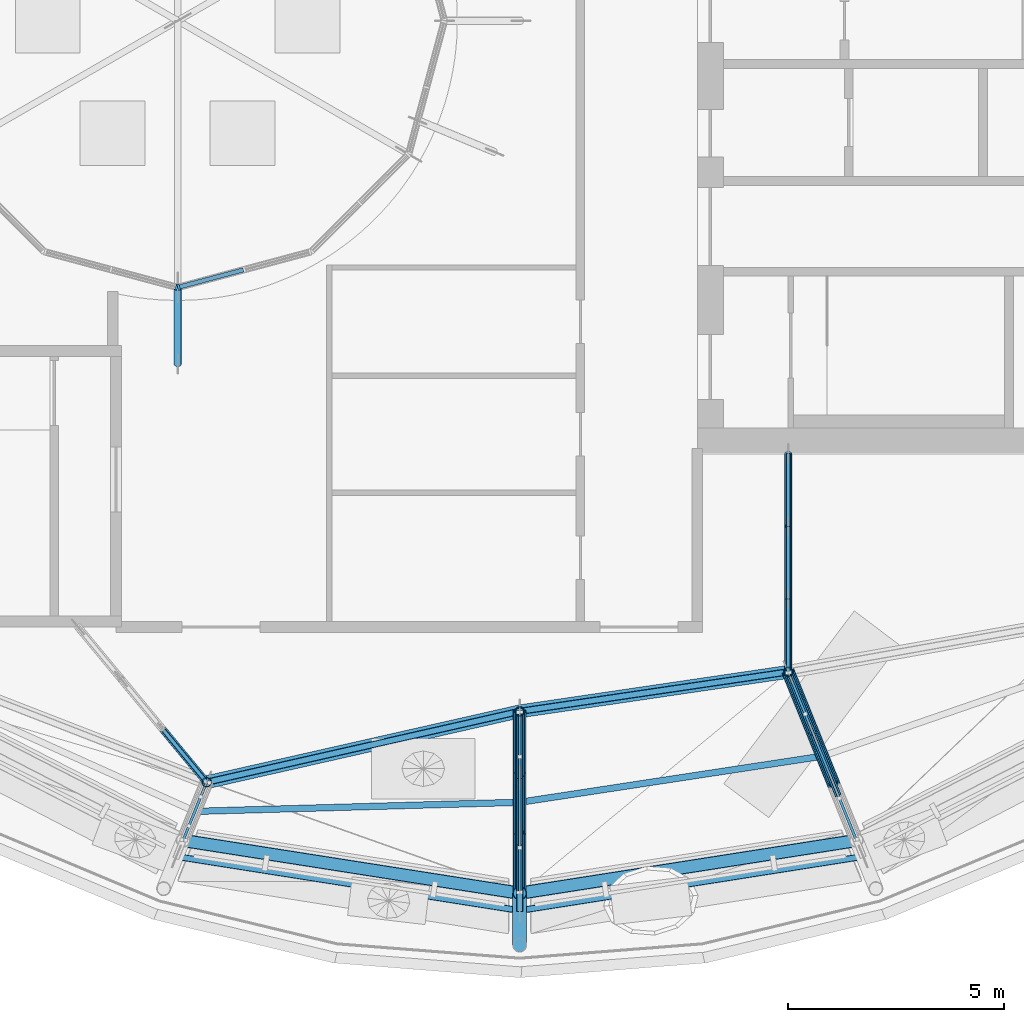
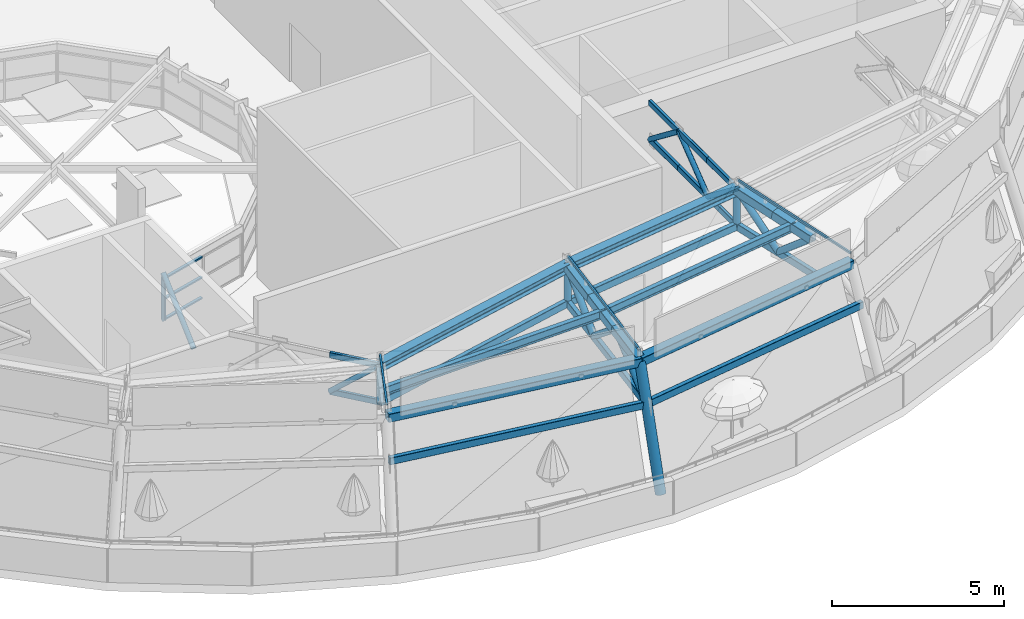
# One storey, part 5 of 40: 42 members, 8 beams, 3 elements without a shape of their own.
"""IFC4 building model written with IfcOpenShell, lengths in metres."""

from ifc_helpers import new_model, si_unit, direction, frame, origin, origin_2d, place, context, subcontext, project, spatial, rectangle, hollow_rectangle, hollow_circle, i_section, extrude, material, material_profile, profile_set, type_object, element, aggregate, save


model = new_model("IFC4")

# Units and contexts
model_context = context("Model", 3, precision=1e-05, world=origin(), true_north=direction((0.0, 1.0)))
body_context = subcontext(model_context, "Body", "Model", "MODEL_VIEW")
ifc_project = project(units=[si_unit("LENGTHUNIT", "METRE"), si_unit("AREAUNIT", "SQUARE_METRE"), si_unit("VOLUMEUNIT", "CUBIC_METRE"), si_unit("PLANEANGLEUNIT", "RADIAN"), si_unit("MASSUNIT", "GRAM", prefix="KILO")], contexts=[model_context])

# Site, building, storey
site_placement = place(None, origin())
site = spatial("IfcSite", under=ifc_project, at=site_placement, CompositionType="ELEMENT")
building_placement = place(site_placement, origin())
building = spatial("IfcBuilding", under=site, at=building_placement, Name="Taillehof Tower", CompositionType="ELEMENT")
storey_placement = place(building_placement, frame((0.0, 0.0, 275.199951171875)))
storey = spatial("IfcBuildingStorey", under=building, at=storey_placement, Name="L77", CompositionType="ELEMENT", Elevation=275.199951171875)

# Beams
ifc_material_1 = material(Name="Steel S460M", Category="steel")
ifc_material_profile_1 = material_profile(ifc_material_1, i_section(OverallWidth=0.300048828125, OverallDepth=0.2900390625, WebThickness=0.008544921875, FlangeThickness=0.013916015625, FilletRadius=0.027099609375, at=origin_2d()), Name="HEA 300")
ifc_profile_set_1 = profile_set([ifc_material_profile_1], Name="Steel S460M")
beam_type_1 = type_object("IfcBeamType", Name="Canopy apex ring beam HEA 300", PredefinedType="BEAM", material=ifc_profile_set_1)
beam_1_placement = place(storey_placement, frame((-7.332275390625, -17.587646484375, 5.10009765625), z_axis=(0.975306876547, 0.220854016402, 0.0), x_axis=(-0.220854016402, 0.975306876547, 0.0)))
element("IfcBeam", 1, at=beam_1_placement, inside=storey, type_object=beam_type_1, Name="Canopy ring beam CR31", PredefinedType="BEAM", context=body_context, shape_type="SweptSolid", body=[
    extrude(i_section(OverallWidth=0.300048828125, OverallDepth=0.2900390625, WebThickness=0.008544921875, FlangeThickness=0.013916015625, FilletRadius=0.027099609375, at=origin_2d()), origin(), (0.0, 0.0, 1.0), 7.415283203125),
])
beam_2_placement = place(storey_placement, frame((-0.10009765625, -15.949951171875, 5.10009765625), z_axis=(0.989362433012, 0.145471564731, 0.0), x_axis=(-0.145471564731, 0.989362433012, 0.0)))
element("IfcBeam", 2, at=beam_2_placement, inside=storey, type_object=beam_type_1, Name="Canopy ring beam CR32", PredefinedType="BEAM", context=body_context, shape_type="SweptSolid", body=[
    extrude(i_section(OverallWidth=0.300048828125, OverallDepth=0.2900390625, WebThickness=0.008544921875, FlangeThickness=0.013916015625, FilletRadius=0.027099609375, at=origin_2d()), origin(), (0.0, 0.0, 1.0), 6.268310546875),
])

# Curtain wall, members
ifc_material_2 = material(Name="Aluminium glazing bars with clear laminated safety glass", Category="aluminium")
curtain_wall_type_1 = type_object("IfcCurtainWallType", Name="Canopy glazing", PredefinedType="NOTDEFINED", material=ifc_material_2)
curtain_wall_1_placement = place(storey_placement, origin())
curtain_wall_1 = element("IfcCurtainWall", 3, at=curtain_wall_1_placement, inside=storey, type_object=curtain_wall_type_1, Name="Canopy glazing 5", PredefinedType="NOTDEFINED")
ifc_material_3 = material(Name="Aluminium glazing bar", Category="aluminium")
ifc_material_profile_2 = material_profile(ifc_material_3, rectangle(XDim=0.06005859375, YDim=0.070068359375, at=origin_2d()), Name="AL 60x70")
ifc_profile_set_2 = profile_set([ifc_material_profile_2], Name="Aluminium glazing bar")
member_type_1 = type_object("IfcMemberType", Name="Canopy glazing bar 60x70", PredefinedType="USERDEFINED", material=ifc_profile_set_2)
member_1_placement = place(storey_placement, frame((-7.8759765625, -18.931884765625, 4.68798828125), z_axis=(0.328473052035, 0.81159970891, 0.483126656875), x_axis=(-0.92695936161, 0.375161754345, 0.0)))
member_1 = element("IfcMember", 4, at=member_1_placement, type_object=member_type_1, Name="Canopy glazing bar 13", ObjectType="TRANSOM", PredefinedType="USERDEFINED", context=body_context, shape_type="SweptSolid", body=[
    extrude(rectangle(XDim=0.06005859375, YDim=0.070068359375, at=origin_2d()), origin(), (0.0, 0.0, 1.0), 1.656005859375),
])
member_2_placement = place(storey_placement, frame((-0.10009765625, -20.14990234375, 4.6474609375), z_axis=(0.0, 0.982336067315, 0.187125227727), x_axis=(-1.0, 0.0, 0.0)))
member_2 = element("IfcMember", 5, at=member_2_placement, type_object=member_type_1, Name="Canopy glazing bar 14", ObjectType="TRANSOM", PredefinedType="USERDEFINED", context=body_context, shape_type="SweptSolid", body=[
    extrude(rectangle(XDim=0.06005859375, YDim=0.070068359375, at=origin_2d()), origin(), (0.0, 0.0, 1.0), 4.275390625),
])
member_3_placement = place(storey_placement, frame((7.676025390625, -18.931884765625, 4.626220703125), z_axis=(-0.368343189849, 0.910665871168, 0.187112173793), x_axis=(-0.927038715503, -0.374965625037, 0.0)))
member_3 = element("IfcMember", 6, at=member_3_placement, type_object=member_type_1, Name="Canopy glazing bar 15", ObjectType="TRANSOM", PredefinedType="USERDEFINED", context=body_context, shape_type="SweptSolid", body=[
    extrude(rectangle(XDim=0.06005859375, YDim=0.070068359375, at=origin_2d()), origin(), (0.0, 0.0, 1.0), 4.27587890625),
])
aggregate(curtain_wall_1, [member_1, member_2, member_3])

# Members
ifc_material_4 = material(Name="Steel S460M", Category="steel")
ifc_material_profile_3 = material_profile(ifc_material_4, hollow_circle(Radius=0.109619140625, WallThickness=0.012451171875, at=origin_2d()), Name="CHS 219.1x12.5")
ifc_profile_set_3 = profile_set([ifc_material_profile_3], Name="Steel S460M")
member_type_2 = type_object("IfcMemberType", Name="Canopy inner ring post CHS 219.1x12.5", PredefinedType="POST", material=ifc_profile_set_3)
for number, where, z_axis, x_axis, name in (
    (7, (-7.332275390625, -17.587646484375, 3.800048828125), (0.0, 0.0, 1.0), (1.0, 0.0, 0.0), "Canopy ring post RP13"),
    (8, (-0.10009765625, -15.949951171875, 3.800048828125), (0.0, 0.0, 1.0), (1.0, 0.0, 0.0), "Canopy ring post RP14"),
    (9, (6.1015625, -15.0380859375, 3.800048828125), (0.0, 0.0, 1.0), (1.0, 0.0, 0.0), "Canopy ring post RP15"),
):
    element("IfcMember", number, at=place(storey_placement, frame(where, z_axis=z_axis, x_axis=x_axis)), inside=storey, type_object=member_type_2, Name=name, PredefinedType="POST", context=body_context, shape_type="SweptSolid", body=[
        extrude(hollow_circle(Radius=0.109619140625, WallThickness=0.012451171875, at=origin_2d()), origin(), (0.0, 0.0, 1.0), 1.300048828125),
    ])

# Beams
ifc_material_5 = material(Name="Steel S460M", Category="steel")
ifc_material_profile_4 = material_profile(ifc_material_5, hollow_rectangle(XDim=0.14990234375, YDim=0.25, WallThickness=0.010009765625, InnerFilletRadius=0.010009765625, OuterFilletRadius=0.014892578125, at=origin_2d()), Name="RHS 250x150x10")
ifc_profile_set_4 = profile_set([ifc_material_profile_4], Name="Steel S460M")
beam_type_2 = type_object("IfcBeamType", Name="Canopy lower ring beam RHS 250x150x10", PredefinedType="BEAM", material=ifc_profile_set_4)
beam_3_placement = place(storey_placement, frame((-8.025634765625, -19.302734375, 3.0), z_axis=(0.987841299775, -0.155465643981, 0.0), x_axis=(0.155465643981, 0.987841299775, 0.0)))
element("IfcBeam", 10, at=beam_3_placement, inside=storey, type_object=beam_type_2, Name="Canopy lower ring beam CB13", PredefinedType="BEAM", context=body_context, shape_type="SweptSolid", body=[
    extrude(hollow_rectangle(XDim=0.14990234375, YDim=0.25, WallThickness=0.010009765625, InnerFilletRadius=0.010009765625, OuterFilletRadius=0.014892578125, at=origin_2d()), origin(), (0.0, 0.0, 1.0), 8.023193359375),
])
beam_4_placement = place(storey_placement, frame((-0.10009765625, -20.550048828125, 3.0), z_axis=(0.987842035216, 0.155460970858, 0.0), x_axis=(-0.155460970858, 0.987842035216, 0.0)))
element("IfcBeam", 11, at=beam_4_placement, inside=storey, type_object=beam_type_2, Name="Canopy lower ring beam CB14", PredefinedType="BEAM", context=body_context, shape_type="SweptSolid", body=[
    extrude(hollow_rectangle(XDim=0.14990234375, YDim=0.25, WallThickness=0.010009765625, InnerFilletRadius=0.010009765625, OuterFilletRadius=0.014892578125, at=origin_2d()), origin(), (0.0, 0.0, 1.0), 8.0234375),
])
beam_5_placement = place(storey_placement, frame((-7.332275390625, -17.587646484375, 3.800048828125), z_axis=(0.975306876547, 0.220854016402, 0.0), x_axis=(-0.220854016402, 0.975306876547, 0.0)))
element("IfcBeam", 12, at=beam_5_placement, inside=storey, type_object=beam_type_2, Name="Canopy lower ring beam CB31", PredefinedType="BEAM", context=body_context, shape_type="SweptSolid", body=[
    extrude(hollow_rectangle(XDim=0.14990234375, YDim=0.25, WallThickness=0.010009765625, InnerFilletRadius=0.010009765625, OuterFilletRadius=0.014892578125, at=origin_2d()), origin(), (0.0, 0.0, 1.0), 7.415283203125),
])
beam_6_placement = place(storey_placement, frame((-0.10009765625, -15.949951171875, 3.800048828125), z_axis=(0.989362433012, 0.145471564731, 0.0), x_axis=(-0.145471564731, 0.989362433012, 0.0)))
element("IfcBeam", 13, at=beam_6_placement, inside=storey, type_object=beam_type_2, Name="Canopy lower ring beam CB32", PredefinedType="BEAM", context=body_context, shape_type="SweptSolid", body=[
    extrude(hollow_rectangle(XDim=0.14990234375, YDim=0.25, WallThickness=0.010009765625, InnerFilletRadius=0.010009765625, OuterFilletRadius=0.014892578125, at=origin_2d()), origin(), (0.0, 0.0, 1.0), 6.268310546875),
])

# Members
ifc_material_6 = material(Name="Steel S460M", Category="steel")
ifc_material_profile_5 = material_profile(ifc_material_6, i_section(OverallWidth=0.14990234375, OverallDepth=0.300048828125, WebThickness=0.007080078125, FlangeThickness=0.0107421875, FilletRadius=0.014892578125, at=origin_2d()), Name="IPE 300")
ifc_profile_set_5 = profile_set([ifc_material_profile_5], Name="Steel S460M")
member_type_3 = type_object("IfcMemberType", Name="Canopy purlin IPE 300", PredefinedType="PURLIN", material=ifc_profile_set_5)
member_4_placement = place(storey_placement, frame((-7.60400390625, -18.260009765625, 4.699951171875), z_axis=(0.999608783378, 0.02796927231, 0.0), x_axis=(-0.02796927231, 0.999608783378, 0.0)))
element("IfcMember", 14, at=member_4_placement, inside=storey, type_object=member_type_3, Name="Canopy purlin CP13", PredefinedType="PURLIN", context=body_context, shape_type="SweptSolid", body=[
    extrude(i_section(OverallWidth=0.14990234375, OverallDepth=0.300048828125, WebThickness=0.007080078125, FlangeThickness=0.0107421875, FilletRadius=0.014892578125, at=origin_2d()), origin(), (0.0, 0.0, 1.0), 7.5068359375),
])
member_5_placement = place(storey_placement, frame((-0.10009765625, -18.050048828125, 4.699951171875), z_axis=(0.988587885748, 0.150645252668, 0.0), x_axis=(-0.150645252668, 0.988587885748, 0.0)))
element("IfcMember", 15, at=member_5_placement, inside=storey, type_object=member_type_3, Name="Canopy purlin CP14", PredefinedType="PURLIN", context=body_context, shape_type="SweptSolid", body=[
    extrude(i_section(OverallWidth=0.14990234375, OverallDepth=0.300048828125, WebThickness=0.007080078125, FlangeThickness=0.0107421875, FilletRadius=0.014892578125, at=origin_2d()), origin(), (0.0, 0.0, 1.0), 7.069091796875),
])
ifc_material_7 = material(Name="Steel S460M", Category="steel")
ifc_material_profile_6 = material_profile(ifc_material_7, hollow_rectangle(XDim=0.300048828125, YDim=0.300048828125, WallThickness=0.012451171875, InnerFilletRadius=0.012451171875, OuterFilletRadius=0.018798828125, at=origin_2d()), Name="RHS 300x300x12.5")
ifc_profile_set_6 = profile_set([ifc_material_profile_6], Name="Steel S460M")
member_type_4 = type_object("IfcMemberType", Name="Canopy rafter RHS 300x300x12.5", PredefinedType="RAFTER", material=ifc_profile_set_6)
for number, where, z_axis, x_axis, name in (
    (16, (-0.10009765625, -20.14990234375, 4.300048828125), (0.0, 0.982344563966, 0.187080618042), (-1.0, 0.0, 0.0), "Canopy rafter 14 top chord 1"),
    (17, (-0.10009765625, -18.75, 4.566650390625), (0.0, 0.98231306642, 0.18724593331), (-1.0, 0.0, 0.0), "Canopy rafter 14 top chord 2"),
):
    element("IfcMember", number, at=place(storey_placement, frame(where, z_axis=z_axis, x_axis=x_axis)), inside=storey, type_object=member_type_4, Name=name, PredefinedType="RAFTER", context=body_context, shape_type="SweptSolid", body=[
        extrude(hollow_rectangle(XDim=0.300048828125, YDim=0.300048828125, WallThickness=0.012451171875, InnerFilletRadius=0.012451171875, OuterFilletRadius=0.018798828125, at=origin_2d()), origin(), (0.0, 0.0, 1.0), 1.425048828125),
    ])
member_6_placement = place(storey_placement, frame((-0.10009765625, -17.35009765625, 4.83349609375), z_axis=(0.0, 0.982350558482, 0.187049138598), x_axis=(-1.0, 0.0, 0.0)))
element("IfcMember", 18, at=member_6_placement, inside=storey, type_object=member_type_4, Name="Canopy rafter 14 top chord 3", PredefinedType="RAFTER", context=body_context, shape_type="SweptSolid", body=[
    extrude(hollow_rectangle(XDim=0.300048828125, YDim=0.300048828125, WallThickness=0.012451171875, InnerFilletRadius=0.012451171875, OuterFilletRadius=0.018798828125, at=origin_2d()), origin(), (0.0, 0.0, 1.0), 1.42529296875),
])
for number, where, z_axis, x_axis, name in (
    (19, (7.15087890625, -17.6337890625, 4.566650390625), (-0.368157034019, 0.910713258653, 0.187247853971), (-0.927111355039, -0.374785986076, 0.0), "Canopy rafter 15 top chord 2"),
    (20, (6.626220703125, -16.3359375, 4.83349609375), (-0.368168839096, 0.910742460973, 0.18708253713), (-0.927111355039, -0.374785986076, 0.0), "Canopy rafter 15 top chord 3"),
):
    element("IfcMember", number, at=place(storey_placement, frame(where, z_axis=z_axis, x_axis=x_axis)), inside=storey, type_object=member_type_4, Name=name, PredefinedType="RAFTER", context=body_context, shape_type="SweptSolid", body=[
        extrude(hollow_rectangle(XDim=0.300048828125, YDim=0.300048828125, WallThickness=0.012451171875, InnerFilletRadius=0.012451171875, OuterFilletRadius=0.018798828125, at=origin_2d()), origin(), (0.0, 0.0, 1.0), 1.425048828125),
    ])
ifc_material_8 = material(Name="Steel S460M", Category="steel")
ifc_material_profile_7 = material_profile(ifc_material_8, hollow_rectangle(XDim=0.14990234375, YDim=0.25, WallThickness=0.010009765625, InnerFilletRadius=0.010009765625, OuterFilletRadius=0.014892578125, at=origin_2d()), Name="RHS 250x150x10")
ifc_profile_set_7 = profile_set([ifc_material_profile_7], Name="Steel S460M")
member_type_5 = type_object("IfcMemberType", Name="Canopy rafter bottom chord RHS 250x150x10", PredefinedType="CHORD", material=ifc_profile_set_7)
member_7_placement = place(storey_placement, frame((-0.10009765625, -20.550048828125, 3.0), z_axis=(0.0, 0.985220963369, 0.171288217163), x_axis=(-1.0, 0.0, 0.0)))
element("IfcMember", 21, at=member_7_placement, inside=storey, type_object=member_type_5, Name="Canopy rafter 14 bottom chord 1", PredefinedType="CHORD", context=body_context, shape_type="SweptSolid", body=[
    extrude(hollow_rectangle(XDim=0.14990234375, YDim=0.25, WallThickness=0.010009765625, InnerFilletRadius=0.010009765625, OuterFilletRadius=0.014892578125, at=origin_2d()), origin(), (0.0, 0.0, 1.0), 1.556396484375),
])
member_8_placement = place(storey_placement, frame((-0.10009765625, -19.0166015625, 3.2666015625), z_axis=(0.0, 0.985189870312, 0.171466963097), x_axis=(-1.0, 0.0, 0.0)))
element("IfcMember", 22, at=member_8_placement, inside=storey, type_object=member_type_5, Name="Canopy rafter 14 bottom chord 2", PredefinedType="CHORD", context=body_context, shape_type="SweptSolid", body=[
    extrude(hollow_rectangle(XDim=0.14990234375, YDim=0.25, WallThickness=0.010009765625, InnerFilletRadius=0.010009765625, OuterFilletRadius=0.014892578125, at=origin_2d()), origin(), (0.0, 0.0, 1.0), 1.55615234375),
])
member_9_placement = place(storey_placement, frame((-0.10009765625, -17.4833984375, 3.533447265625), z_axis=(0.0, 0.985220963369, 0.171288217163), x_axis=(-1.0, 0.0, 0.0)))
element("IfcMember", 23, at=member_9_placement, inside=storey, type_object=member_type_5, Name="Canopy rafter 14 bottom chord 3", PredefinedType="CHORD", context=body_context, shape_type="SweptSolid", body=[
    extrude(hollow_rectangle(XDim=0.14990234375, YDim=0.25, WallThickness=0.010009765625, InnerFilletRadius=0.010009765625, OuterFilletRadius=0.014892578125, at=origin_2d()), origin(), (0.0, 0.0, 1.0), 1.556396484375),
])
member_10_placement = place(storey_placement, frame((7.2509765625, -17.881103515625, 3.2666015625), z_axis=(-0.369295686042, 0.913355770662, 0.171469917096), x_axis=(-0.927086518883, -0.374847417632, 0.0)))
element("IfcMember", 24, at=member_10_placement, inside=storey, type_object=member_type_5, Name="Canopy rafter 15 bottom chord 2", PredefinedType="CHORD", context=body_context, shape_type="SweptSolid", body=[
    extrude(hollow_rectangle(XDim=0.14990234375, YDim=0.25, WallThickness=0.010009765625, InnerFilletRadius=0.010009765625, OuterFilletRadius=0.014892578125, at=origin_2d()), origin(), (0.0, 0.0, 1.0), 1.55615234375),
])
member_11_placement = place(storey_placement, frame((6.67626953125, -16.459716796875, 3.533447265625), z_axis=(-0.369252703203, 0.913406325723, 0.171293097663), x_axis=(-0.927108888624, -0.374792087209, 0.0)))
element("IfcMember", 25, at=member_11_placement, inside=storey, type_object=member_type_5, Name="Canopy rafter 15 bottom chord 3", PredefinedType="CHORD", context=body_context, shape_type="SweptSolid", body=[
    extrude(hollow_rectangle(XDim=0.14990234375, YDim=0.25, WallThickness=0.010009765625, InnerFilletRadius=0.010009765625, OuterFilletRadius=0.014892578125, at=origin_2d()), origin(), (0.0, 0.0, 1.0), 1.556396484375),
])
ifc_material_9 = material(Name="Steel S460M", Category="steel")
ifc_material_profile_8 = material_profile(ifc_material_9, hollow_circle(Radius=0.109619140625, WallThickness=0.012451171875, at=origin_2d()), Name="CHS 219.1x12.5")
ifc_profile_set_8 = profile_set([ifc_material_profile_8], Name="Steel S460M")
member_type_6 = type_object("IfcMemberType", Name="Canopy rafter diagonal CHS 219.1x12.5", PredefinedType="BRACE", material=ifc_profile_set_8)
member_12_placement = place(storey_placement, frame((-0.10009765625, -20.550048828125, 3.0), z_axis=(0.0, 0.754316916411, 0.656510464209), x_axis=(-1.0, 0.0, 0.0)))
element("IfcMember", 26, at=member_12_placement, inside=storey, type_object=member_type_6, Name="Canopy rafter 14 diagonal 1", PredefinedType="BRACE", context=body_context, shape_type="SweptSolid", body=[
    extrude(hollow_circle(Radius=0.109619140625, WallThickness=0.012451171875, at=origin_2d()), origin(), (0.0, 0.0, 1.0), 2.38623046875),
])
member_13_placement = place(storey_placement, frame((-0.10009765625, -18.75, 4.566650390625), z_axis=(0.0, 0.774888123176, -0.63209840734), x_axis=(-1.0, 0.0, 0.0)))
element("IfcMember", 27, at=member_13_placement, inside=storey, type_object=member_type_6, Name="Canopy rafter 14 diagonal 2", PredefinedType="BRACE", context=body_context, shape_type="SweptSolid", body=[
    extrude(hollow_circle(Radius=0.109619140625, WallThickness=0.012451171875, at=origin_2d()), origin(), (0.0, 0.0, 1.0), 1.634521484375),
])
member_14_placement = place(storey_placement, frame((-0.10009765625, -17.4833984375, 3.533447265625), z_axis=(0.0, 0.699493302594, 0.714639153438), x_axis=(-1.0, 0.0, 0.0)))
element("IfcMember", 28, at=member_14_placement, inside=storey, type_object=member_type_6, Name="Canopy rafter 14 diagonal 3", PredefinedType="BRACE", context=body_context, shape_type="SweptSolid", body=[
    extrude(hollow_circle(Radius=0.109619140625, WallThickness=0.012451171875, at=origin_2d()), origin(), (0.0, 0.0, 1.0), 2.192138671875),
])
member_15_placement = place(storey_placement, frame((7.15087890625, -17.6337890625, 4.566650390625), z_axis=(-0.290390512631, 0.718358011955, -0.632167000747), x_axis=(-0.927114341472, -0.374778598424, 0.0)))
element("IfcMember", 29, at=member_15_placement, inside=storey, type_object=member_type_6, Name="Canopy rafter 15 diagonal 2", PredefinedType="BRACE", context=body_context, shape_type="SweptSolid", body=[
    extrude(hollow_circle(Radius=0.109619140625, WallThickness=0.012451171875, at=origin_2d()), origin(), (0.0, 0.0, 1.0), 1.63427734375),
])
member_16_placement = place(storey_placement, frame((6.67626953125, -16.459716796875, 3.533447265625), z_axis=(-0.262160624671, 0.64849673639, 0.714649417382), x_axis=(-0.927108888624, -0.374792087209, 0.0)))
element("IfcMember", 30, at=member_16_placement, inside=storey, type_object=member_type_6, Name="Canopy rafter 15 diagonal 3", PredefinedType="BRACE", context=body_context, shape_type="SweptSolid", body=[
    extrude(hollow_circle(Radius=0.109619140625, WallThickness=0.012451171875, at=origin_2d()), origin(), (0.0, 0.0, 1.0), 2.192138671875),
])
ifc_material_10 = material(Name="Steel S460M", Category="steel")
ifc_material_profile_9 = material_profile(ifc_material_10, hollow_circle(Radius=0.161865234375, WallThickness=0.01611328125, at=origin_2d()), Name="CHS 323.9x16")
ifc_profile_set_9 = profile_set([ifc_material_profile_9], Name="Steel S460M")
member_type_7 = type_object("IfcMemberType", Name="Canopy raking column CHS 323.9x16", PredefinedType="POST", material=ifc_profile_set_9)
member_17_placement = place(storey_placement, frame((-0.10009765625, -21.35009765625, 0.300048828125), z_axis=(0.0, 0.287390791914, 0.957813412269), x_axis=(-1.0, 0.0, 0.0)))
element("IfcMember", 31, at=member_17_placement, inside=storey, type_object=member_type_7, Name="Canopy raking column CC14", PredefinedType="POST", context=body_context, shape_type="SweptSolid", body=[
    extrude(hollow_circle(Radius=0.161865234375, WallThickness=0.01611328125, at=origin_2d()), origin(), (0.0, 0.0, 1.0), 4.17626953125),
])

# Beams
ifc_material_11 = material(Name="Steel S460M", Category="steel")
ifc_material_profile_10 = material_profile(ifc_material_11, hollow_rectangle(XDim=0.300048828125, YDim=0.300048828125, WallThickness=0.012451171875, InnerFilletRadius=0.012451171875, OuterFilletRadius=0.018798828125, at=origin_2d()), Name="RHS 300x300x12.5")
ifc_profile_set_10 = profile_set([ifc_material_profile_10], Name="Steel S460M")
beam_type_3 = type_object("IfcBeamType", Name="Canopy ring beam RHS 300x300x12.5", PredefinedType="BEAM", material=ifc_profile_set_10)
beam_7_placement = place(storey_placement, frame((-7.875732421875, -18.931884765625, 4.300048828125), z_axis=(0.987952374768, -0.154758215257, 0.0), x_axis=(0.154758215257, 0.987952374768, 0.0)))
element("IfcBeam", 32, at=beam_7_placement, inside=storey, type_object=beam_type_3, Name="Canopy ring beam CR13", PredefinedType="BEAM", context=body_context, shape_type="SweptSolid", body=[
    extrude(hollow_rectangle(XDim=0.300048828125, YDim=0.300048828125, WallThickness=0.012451171875, InnerFilletRadius=0.012451171875, OuterFilletRadius=0.018798828125, at=origin_2d()), origin(), (0.0, 0.0, 1.0), 7.870361328125),
])
beam_8_placement = place(storey_placement, frame((-0.10009765625, -20.14990234375, 4.300048828125), z_axis=(0.987953117664, 0.154753472654, 0.0), x_axis=(-0.154753472654, 0.987953117664, 0.0)))
element("IfcBeam", 33, at=beam_8_placement, inside=storey, type_object=beam_type_3, Name="Canopy ring beam CR14", PredefinedType="BEAM", context=body_context, shape_type="SweptSolid", body=[
    extrude(hollow_rectangle(XDim=0.300048828125, YDim=0.300048828125, WallThickness=0.012451171875, InnerFilletRadius=0.012451171875, OuterFilletRadius=0.018798828125, at=origin_2d()), origin(), (0.0, 0.0, 1.0), 7.87060546875),
])

# Members
ifc_material_12 = material(Name="Steel S460M", Category="steel")
ifc_material_profile_11 = material_profile(ifc_material_12, hollow_rectangle(XDim=0.10009765625, YDim=0.199951171875, WallThickness=0.008056640625, InnerFilletRadius=0.008056640625, OuterFilletRadius=0.011962890625, at=origin_2d()), Name="RHS 200x100x8")
ifc_profile_set_11 = profile_set([ifc_material_profile_11], Name="Steel S460M")
member_type_8 = type_object("IfcMemberType", Name="Canopy spur chord RHS 200x100x8", PredefinedType="CHORD", material=ifc_profile_set_11)
for number, where, z_axis, x_axis, name in (
    (34, (-7.332275390625, -17.587646484375, 5.10009765625), (-0.637348788788, 0.77057544824, 0.0), (-0.77057544824, -0.637348788788, 0.0), "Canopy rafter S13 top chord 1"),
    (35, (-7.332275390625, -17.587646484375, 3.800048828125), (-0.637348788788, 0.77057544824, 0.0), (-0.77057544824, -0.637348788788, 0.0), "Canopy rafter S13 bottom chord 1"),
):
    element("IfcMember", number, at=place(storey_placement, frame(where, z_axis=z_axis, x_axis=x_axis)), inside=storey, type_object=member_type_8, Name=name, PredefinedType="CHORD", context=body_context, shape_type="SweptSolid", body=[
        extrude(hollow_rectangle(XDim=0.10009765625, YDim=0.199951171875, WallThickness=0.008056640625, InnerFilletRadius=0.008056640625, OuterFilletRadius=0.011962890625, at=origin_2d()), origin(), (0.0, 0.0, 1.0), 1.55224609375),
    ])
for number, where, z_axis, x_axis, name in (
    (36, (6.1015625, -15.0380859375, 5.10009765625), (0.0, 1.0, 0.0), (-1.0, 0.0, 0.0), "Canopy rafter S15 top chord 1"),
    (37, (6.1015625, -15.0380859375, 3.800048828125), (0.0, 1.0, 0.0), (-1.0, 0.0, 0.0), "Canopy rafter S15 bottom chord 1"),
):
    element("IfcMember", number, at=place(storey_placement, frame(where, z_axis=z_axis, x_axis=x_axis)), inside=storey, type_object=member_type_8, Name=name, PredefinedType="CHORD", context=body_context, shape_type="SweptSolid", body=[
        extrude(hollow_rectangle(XDim=0.10009765625, YDim=0.199951171875, WallThickness=0.008056640625, InnerFilletRadius=0.008056640625, OuterFilletRadius=0.011962890625, at=origin_2d()), origin(), (0.0, 0.0, 1.0), 1.679443359375),
    ])
for number, where, z_axis, x_axis, name in (
    (38, (6.1015625, -13.358642578125, 5.10009765625), (0.0, 1.0, 0.0), (-1.0, 0.0, 0.0), "Canopy rafter S15 top chord 2"),
    (39, (6.1015625, -13.358642578125, 3.800048828125), (0.0, 1.0, 0.0), (-1.0, 0.0, 0.0), "Canopy rafter S15 bottom chord 2"),
):
    element("IfcMember", number, at=place(storey_placement, frame(where, z_axis=z_axis, x_axis=x_axis)), inside=storey, type_object=member_type_8, Name=name, PredefinedType="CHORD", context=body_context, shape_type="SweptSolid", body=[
        extrude(hollow_rectangle(XDim=0.10009765625, YDim=0.199951171875, WallThickness=0.008056640625, InnerFilletRadius=0.008056640625, OuterFilletRadius=0.011962890625, at=origin_2d()), origin(), (0.0, 0.0, 1.0), 1.67919921875),
    ])
for number, where, z_axis, x_axis, name in (
    (40, (6.1015625, -11.679443359375, 5.10009765625), (0.0, 1.0, 0.0), (-1.0, 0.0, 0.0), "Canopy rafter S15 top chord 3"),
    (41, (6.1015625, -11.679443359375, 3.800048828125), (0.0, 1.0, 0.0), (-1.0, 0.0, 0.0), "Canopy rafter S15 bottom chord 3"),
):
    element("IfcMember", number, at=place(storey_placement, frame(where, z_axis=z_axis, x_axis=x_axis)), inside=storey, type_object=member_type_8, Name=name, PredefinedType="CHORD", context=body_context, shape_type="SweptSolid", body=[
        extrude(hollow_rectangle(XDim=0.10009765625, YDim=0.199951171875, WallThickness=0.008056640625, InnerFilletRadius=0.008056640625, OuterFilletRadius=0.011962890625, at=origin_2d()), origin(), (0.0, 0.0, 1.0), 1.679443359375),
    ])
ifc_material_13 = material(Name="Steel S460M", Category="steel")
ifc_material_profile_12 = material_profile(ifc_material_13, hollow_circle(Radius=0.084228515625, WallThickness=0.008056640625, at=origin_2d()), Name="CHS 168.3x8")
ifc_profile_set_12 = profile_set([ifc_material_profile_12], Name="Steel S460M")
member_type_9 = type_object("IfcMemberType", Name="Canopy spur diagonal CHS 168.3x8", PredefinedType="BRACE", material=ifc_profile_set_12)
member_18_placement = place(storey_placement, frame((-7.332275390625, -17.587646484375, 5.10009765625), z_axis=(-0.488602428392, 0.590736252886, -0.642104622702), x_axis=(-0.77057544824, -0.637348788788, 0.0)))
element("IfcMember", 42, at=member_18_placement, inside=storey, type_object=member_type_9, Name="Canopy rafter S13 diagonal 1", PredefinedType="BRACE", context=body_context, shape_type="SweptSolid", body=[
    extrude(hollow_circle(Radius=0.084228515625, WallThickness=0.008056640625, at=origin_2d()), origin(), (0.0, 0.0, 1.0), 2.024658203125),
])
member_19_placement = place(storey_placement, frame((6.1015625, -15.0380859375, 5.10009765625), z_axis=(0.0, 0.790761400514, -0.612124503232), x_axis=(-1.0, 0.0, 0.0)))
element("IfcMember", 43, at=member_19_placement, inside=storey, type_object=member_type_9, Name="Canopy rafter S15 diagonal 1", PredefinedType="BRACE", context=body_context, shape_type="SweptSolid", body=[
    extrude(hollow_circle(Radius=0.084228515625, WallThickness=0.008056640625, at=origin_2d()), origin(), (0.0, 0.0, 1.0), 2.123779296875),
])
member_20_placement = place(storey_placement, frame((6.1015625, -13.358642578125, 3.800048828125), z_axis=(0.0, 0.79071832218, 0.612180149114), x_axis=(-1.0, 0.0, 0.0)))
element("IfcMember", 44, at=member_20_placement, inside=storey, type_object=member_type_9, Name="Canopy rafter S15 diagonal 2", PredefinedType="BRACE", context=body_context, shape_type="SweptSolid", body=[
    extrude(hollow_circle(Radius=0.084228515625, WallThickness=0.008056640625, at=origin_2d()), origin(), (0.0, 0.0, 1.0), 2.12353515625),
])
member_21_placement = place(storey_placement, frame((6.1015625, -11.679443359375, 5.10009765625), z_axis=(0.0, 0.790761400514, -0.612124503232), x_axis=(-1.0, 0.0, 0.0)))
element("IfcMember", 45, at=member_21_placement, inside=storey, type_object=member_type_9, Name="Canopy rafter S15 diagonal 3", PredefinedType="BRACE", context=body_context, shape_type="SweptSolid", body=[
    extrude(hollow_circle(Radius=0.084228515625, WallThickness=0.008056640625, at=origin_2d()), origin(), (0.0, 0.0, 1.0), 2.123779296875),
])
ifc_material_14 = material(Name="Steel S460M", Category="steel")
ifc_material_profile_13 = material_profile(ifc_material_14, hollow_circle(Radius=0.084228515625, WallThickness=0.008056640625, at=origin_2d()), Name="CHS 168.3x8")
ifc_profile_set_13 = profile_set([ifc_material_profile_13], Name="Steel S460M")
member_type_10 = type_object("IfcMemberType", Name="Lantern strut CHS 168.3x8", PredefinedType="STRUT", material=ifc_profile_set_13)
member_22_placement = place(storey_placement, frame((-8.0, -7.931640625, 0.062255859375), z_axis=(0.0, 0.739497265291, 0.673159561046), x_axis=(-1.0, 0.0, 0.0)))
element("IfcMember", 46, at=member_22_placement, inside=storey, type_object=member_type_10, Name="Lantern strut LS07", PredefinedType="STRUT", context=body_context, shape_type="SweptSolid", body=[
    extrude(hollow_circle(Radius=0.084228515625, WallThickness=0.008056640625, at=origin_2d()), origin(), (0.0, 0.0, 1.0), 2.395751953125),
])

# Curtain wall, member
ifc_material_15 = material(Name="Aluminium curtain wall with Clear low-emissivity double glazing", Category="aluminium")
curtain_wall_type_2 = type_object("IfcCurtainWallType", Name="Roof lantern curtain wall", PredefinedType="USERDEFINED", material=ifc_material_15)
curtain_wall_2_placement = place(storey_placement, origin())
curtain_wall_2 = element("IfcCurtainWall", 47, at=curtain_wall_2_placement, inside=storey, type_object=curtain_wall_type_2, Name="Roof lantern bay 9", ObjectType="WINDOW WALL", PredefinedType="USERDEFINED")
ifc_material_16 = material(Name="Aluminium mullion", Category="aluminium")
ifc_material_profile_14 = material_profile(ifc_material_16, rectangle(XDim=0.139892578125, YDim=0.050048828125, at=origin_2d()), Name="AL 50x140")
ifc_profile_set_14 = profile_set([ifc_material_profile_14], Name="Aluminium mullion")
member_type_11 = type_object("IfcMemberType", Name="Roof lantern mullion 50x140", PredefinedType="MULLION", material=ifc_profile_set_14)
member_23_placement = place(storey_placement, frame((-8.024169921875, -6.153564453125, 0.0), z_axis=(0.0, 0.0, 1.0), x_axis=(0.258819045103, 0.965925826289, 0.0)))
member_23 = element("IfcMember", 48, at=member_23_placement, type_object=member_type_11, Name="CT709 mullion 3", PredefinedType="MULLION", context=body_context, shape_type="SweptSolid", body=[
    extrude(rectangle(XDim=0.139892578125, YDim=0.050048828125, at=origin_2d()), origin(), (0.0, 0.0, 1.0), 1.5),
])
aggregate(curtain_wall_2, [member_23])

# Curtain wall, members
curtain_wall_3_placement = place(storey_placement, origin())
curtain_wall_3 = element("IfcCurtainWall", 49, at=curtain_wall_3_placement, inside=storey, type_object=curtain_wall_type_2, Name="Roof lantern bay 10", ObjectType="WINDOW WALL", PredefinedType="USERDEFINED")
member_24_placement = place(storey_placement, frame((-7.975830078125, -6.153564453125, 0.0), z_axis=(0.0, 0.0, 1.0), x_axis=(-0.258819045103, 0.965925826289, 0.0)))
member_24 = element("IfcMember", 50, at=member_24_placement, type_object=member_type_11, Name="CT710 mullion 1", PredefinedType="MULLION", context=body_context, shape_type="SweptSolid", body=[
    extrude(rectangle(XDim=0.139892578125, YDim=0.050048828125, at=origin_2d()), origin(), (0.0, 0.0, 1.0), 1.5),
])
ifc_material_17 = material(Name="Aluminium transom", Category="aluminium")
ifc_material_profile_15 = material_profile(ifc_material_17, rectangle(XDim=0.10009765625, YDim=0.050048828125, at=origin_2d()), Name="AL 100x50")
ifc_profile_set_15 = profile_set([ifc_material_profile_15], Name="Aluminium transom")
member_type_12 = type_object("IfcMemberType", Name="Roof lantern transom 100x50", PredefinedType="USERDEFINED", material=ifc_profile_set_15)
member_25_placement = place(storey_placement, frame((-7.95166015625, -6.14697265625, 0.025146484375), z_axis=(0.965951637337, 0.25872269774, 0.0), x_axis=(-0.25872269774, 0.965951637337, 0.0)))
member_25 = element("IfcMember", 51, at=member_25_placement, type_object=member_type_12, Name="CT710 transom 1.1", ObjectType="TRANSOM", PredefinedType="USERDEFINED", context=body_context, shape_type="SweptSolid", body=[
    extrude(rectangle(XDim=0.10009765625, YDim=0.050048828125, at=origin_2d()), origin(), (0.0, 0.0, 1.0), 1.519287109375),
])
member_26_placement = place(storey_placement, frame((-7.95166015625, -6.14697265625, 0.75), z_axis=(0.965951637337, 0.25872269774, 0.0), x_axis=(-0.25872269774, 0.965951637337, 0.0)))
member_26 = element("IfcMember", 52, at=member_26_placement, type_object=member_type_12, Name="CT710 transom 1.2", ObjectType="TRANSOM", PredefinedType="USERDEFINED", context=body_context, shape_type="SweptSolid", body=[
    extrude(rectangle(XDim=0.10009765625, YDim=0.050048828125, at=origin_2d()), origin(), (0.0, 0.0, 1.0), 1.519287109375),
])
member_27_placement = place(storey_placement, frame((-7.95166015625, -6.14697265625, 1.47509765625), z_axis=(0.965951637337, 0.25872269774, 0.0), x_axis=(-0.25872269774, 0.965951637337, 0.0)))
member_27 = element("IfcMember", 53, at=member_27_placement, type_object=member_type_12, Name="CT710 transom 1.3", ObjectType="TRANSOM", PredefinedType="USERDEFINED", context=body_context, shape_type="SweptSolid", body=[
    extrude(rectangle(XDim=0.10009765625, YDim=0.050048828125, at=origin_2d()), origin(), (0.0, 0.0, 1.0), 1.519287109375),
])
aggregate(curtain_wall_3, [member_24, member_25, member_26, member_27])

save(model, "model.ifc")
